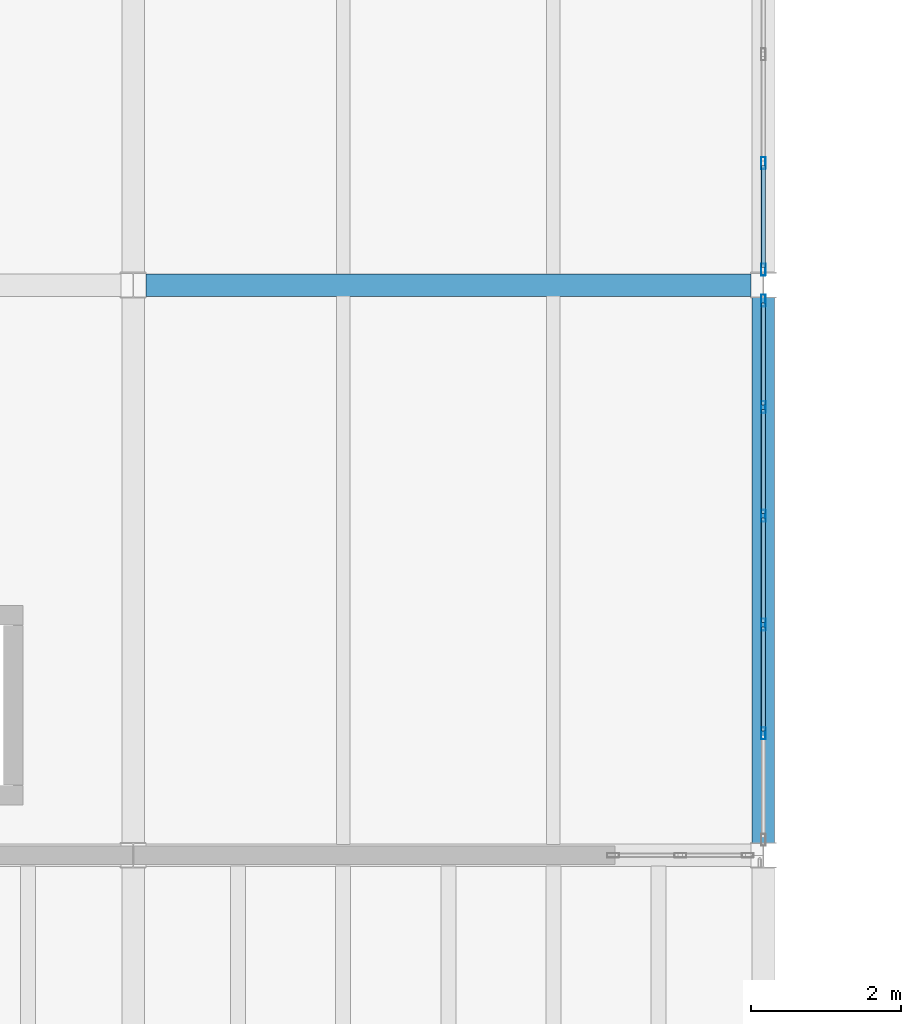
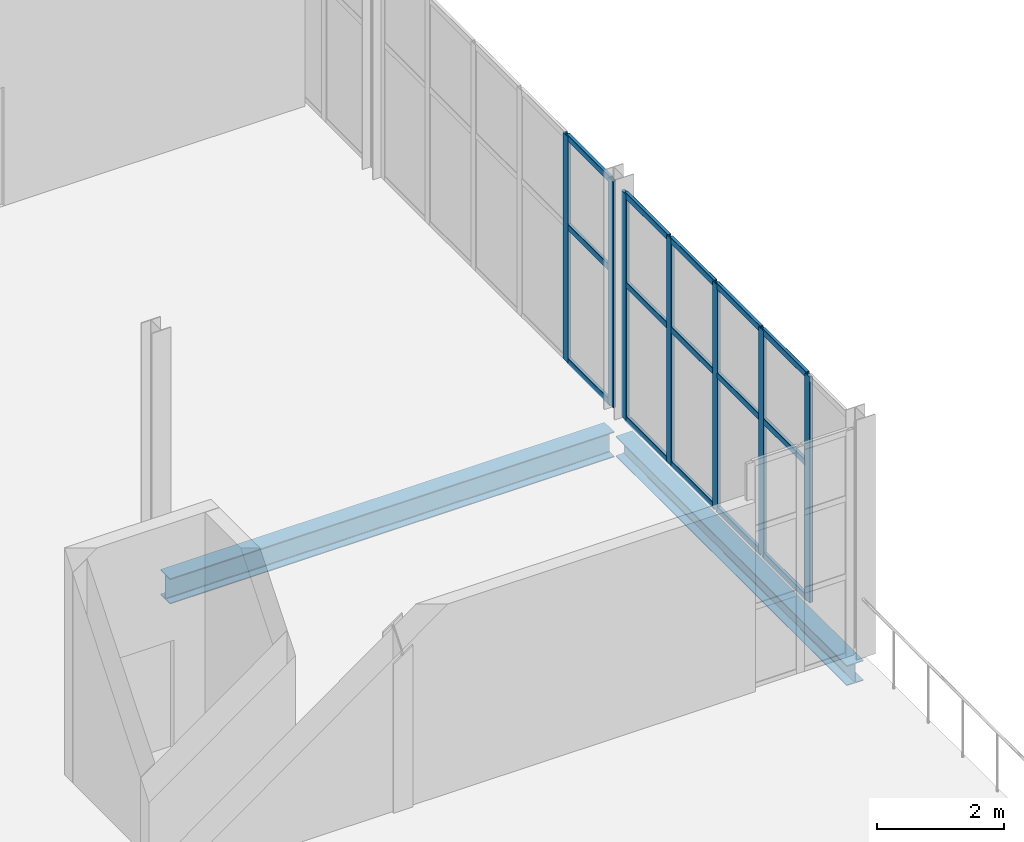
# One storey, part 14 of 74: 22 members, 2 beams, 2 elements without a shape of their own.
"""IFC4 building model written with IfcOpenShell, lengths in metres."""

from ifc_helpers import new_model, si_unit, direction, frame, origin, origin_2d, place, context, subcontext, project, spatial, hollow_rectangle, i_section, extrude, material, material_profile, profile_set, type_object, element, aggregate, save


model = new_model("IFC4")

# Units and contexts
model_context = context("Model", 3, precision=1e-05, world=origin(), true_north=direction((0.0, 1.0)))
body_context = subcontext(model_context, "Body", "Model", "MODEL_VIEW")
ifc_project = project(units=[si_unit("LENGTHUNIT", "METRE"), si_unit("AREAUNIT", "SQUARE_METRE"), si_unit("VOLUMEUNIT", "CUBIC_METRE"), si_unit("PLANEANGLEUNIT", "RADIAN"), si_unit("MASSUNIT", "GRAM", prefix="KILO")], contexts=[model_context])

# Site, building, storey
site_placement = place(None, origin())
site = spatial("IfcSite", under=ifc_project, at=site_placement, CompositionType="ELEMENT")
building_placement = place(site_placement, origin())
building = spatial("IfcBuilding", under=site, at=building_placement, Name="Shengluoqiao Park Theatre", CompositionType="ELEMENT")
storey_placement = place(building_placement, frame((0.0, 0.0, 14.60009765625)))
storey = spatial("IfcBuildingStorey", under=building, at=storey_placement, Name="L03", CompositionType="ELEMENT", Elevation=14.60009765625)

# Curtain wall, members
ifc_material_1 = material(Name="Aluminium 6063-T6", Category="aluminium")
curtain_wall_type = type_object("IfcCurtainWallType", Name="ENV-CW-COURT", PredefinedType="NOTDEFINED", material=ifc_material_1)
curtain_wall_1_placement = place(storey_placement, origin())
curtain_wall_1 = element("IfcCurtainWall", 1, at=curtain_wall_1_placement, inside=storey, type_object=curtain_wall_type, Name="L03 Curtain Wall CWX-L03-0033", PredefinedType="NOTDEFINED")
ifc_material_profile_1 = material_profile(ifc_material_1, hollow_rectangle(XDim=0.06005859375, YDim=0.159912109375, WallThickness=0.00390625, InnerFilletRadius=0.00390625, OuterFilletRadius=0.008056640625, at=origin_2d()), Name="ALU MULLION 160x60x4")
ifc_profile_set_1 = profile_set([ifc_material_profile_1], Name="Aluminium 6063-T6")
member_type_1 = type_object("IfcMemberType", Name="ENV-MUL-160", PredefinedType="MULLION", material=ifc_profile_set_1)
member_1_placement = place(storey_placement, frame((36.0, 32.025634765625, 0.0), z_axis=(0.0, 0.0, 1.0), x_axis=(-1.0, 0.0, 0.0)))
member_1 = element("IfcMember", 2, at=member_1_placement, type_object=member_type_1, Name="CW-05 mullion 2", PredefinedType="MULLION", context=body_context, shape_type="SweptSolid", body=[
    extrude(hollow_rectangle(XDim=0.06005859375, YDim=0.159912109375, WallThickness=0.00390625, InnerFilletRadius=0.00390625, OuterFilletRadius=0.008056640625, at=origin_2d()), origin(), (0.0, 0.0, 1.0), 4.33984375),
])
member_2_placement = place(storey_placement, frame((36.0, 33.47509765625, 0.0), z_axis=(0.0, 0.0, 1.0), x_axis=(-1.0, 0.0, 0.0)))
member_2 = element("IfcMember", 3, at=member_2_placement, type_object=member_type_1, Name="CW-05 mullion 3", PredefinedType="MULLION", context=body_context, shape_type="SweptSolid", body=[
    extrude(hollow_rectangle(XDim=0.06005859375, YDim=0.159912109375, WallThickness=0.00390625, InnerFilletRadius=0.00390625, OuterFilletRadius=0.008056640625, at=origin_2d()), origin(), (0.0, 0.0, 1.0), 4.33984375),
])
member_3_placement = place(storey_placement, frame((36.0, 34.9248046875, 0.0), z_axis=(0.0, 0.0, 1.0), x_axis=(-1.0, 0.0, 0.0)))
member_3 = element("IfcMember", 4, at=member_3_placement, type_object=member_type_1, Name="CW-05 mullion 4", PredefinedType="MULLION", context=body_context, shape_type="SweptSolid", body=[
    extrude(hollow_rectangle(XDim=0.06005859375, YDim=0.159912109375, WallThickness=0.00390625, InnerFilletRadius=0.00390625, OuterFilletRadius=0.008056640625, at=origin_2d()), origin(), (0.0, 0.0, 1.0), 4.33984375),
])
member_4_placement = place(storey_placement, frame((36.0, 36.37451171875, 0.0), z_axis=(0.0, 0.0, 1.0), x_axis=(-1.0, 0.0, 0.0)))
member_4 = element("IfcMember", 5, at=member_4_placement, type_object=member_type_1, Name="CW-05 mullion 5", PredefinedType="MULLION", context=body_context, shape_type="SweptSolid", body=[
    extrude(hollow_rectangle(XDim=0.06005859375, YDim=0.159912109375, WallThickness=0.00390625, InnerFilletRadius=0.00390625, OuterFilletRadius=0.008056640625, at=origin_2d()), origin(), (0.0, 0.0, 1.0), 4.33984375),
])
member_5_placement = place(storey_placement, frame((36.0, 37.7939453125, 0.0), z_axis=(0.0, 0.0, 1.0), x_axis=(-1.0, 0.0, 0.0)))
member_5 = element("IfcMember", 6, at=member_5_placement, type_object=member_type_1, Name="CW-05 mullion 6", PredefinedType="MULLION", context=body_context, shape_type="SweptSolid", body=[
    extrude(hollow_rectangle(XDim=0.06005859375, YDim=0.159912109375, WallThickness=0.00390625, InnerFilletRadius=0.00390625, OuterFilletRadius=0.008056640625, at=origin_2d()), origin(), (0.0, 0.0, 1.0), 4.33984375),
])

curtain_wall_2_placement = place(storey_placement, origin())
curtain_wall_2 = element("IfcCurtainWall", 7, at=curtain_wall_2_placement, inside=storey, type_object=curtain_wall_type, Name="L03 Curtain Wall CWX-L03-0034", PredefinedType="NOTDEFINED")
member_6_placement = place(storey_placement, frame((36.0, 38.2060546875, 0.0), z_axis=(0.0, 0.0, 1.0), x_axis=(-1.0, 0.0, 0.0)))
member_6 = element("IfcMember", 8, at=member_6_placement, type_object=member_type_1, Name="CW-05 mullion 1", PredefinedType="MULLION", context=body_context, shape_type="SweptSolid", body=[
    extrude(hollow_rectangle(XDim=0.06005859375, YDim=0.159912109375, WallThickness=0.00390625, InnerFilletRadius=0.00390625, OuterFilletRadius=0.008056640625, at=origin_2d()), origin(), (0.0, 0.0, 1.0), 4.33984375),
])
member_7_placement = place(storey_placement, frame((36.0, 39.62548828125, 0.0), z_axis=(0.0, 0.0, 1.0), x_axis=(-1.0, 0.0, 0.0)))
member_7 = element("IfcMember", 9, at=member_7_placement, type_object=member_type_1, Name="CW-05 mullion 2", PredefinedType="MULLION", context=body_context, shape_type="SweptSolid", body=[
    extrude(hollow_rectangle(XDim=0.06005859375, YDim=0.159912109375, WallThickness=0.00390625, InnerFilletRadius=0.00390625, OuterFilletRadius=0.008056640625, at=origin_2d()), origin(), (0.0, 0.0, 1.0), 4.33984375),
])

# Member
ifc_material_profile_2 = material_profile(ifc_material_1, hollow_rectangle(XDim=0.06005859375, YDim=0.1201171875, WallThickness=0.00390625, InnerFilletRadius=0.00390625, OuterFilletRadius=0.008056640625, at=origin_2d()), Name="ALU TRANSOM 120x60x4")
ifc_profile_set_2 = profile_set([ifc_material_profile_2], Name="Aluminium 6063-T6")
member_type_2 = type_object("IfcMemberType", Name="ENV-TRN-120", PredefinedType="USERDEFINED", material=ifc_profile_set_2)
member_8_placement = place(storey_placement, frame((36.0, 32.0556640625, 0.02978515625), z_axis=(0.0, 1.0, 0.0), x_axis=(-1.0, 0.0, 0.0)))
member_8 = element("IfcMember", 10, at=member_8_placement, type_object=member_type_2, Name="CW-05 transom 2.1", ObjectType="TRANSOM", PredefinedType="USERDEFINED", context=body_context, shape_type="SweptSolid", body=[
    extrude(hollow_rectangle(XDim=0.06005859375, YDim=0.1201171875, WallThickness=0.00390625, InnerFilletRadius=0.00390625, OuterFilletRadius=0.008056640625, at=origin_2d()), origin(), (0.0, 0.0, 1.0), 1.3896484375),
])

member_9_placement = place(storey_placement, frame((36.0, 32.0556640625, 2.60400390625), z_axis=(0.0, 1.0, 0.0), x_axis=(-1.0, 0.0, 0.0)))
member_9 = element("IfcMember", 11, at=member_9_placement, type_object=member_type_2, Name="CW-05 transom 2.2", ObjectType="TRANSOM", PredefinedType="USERDEFINED", context=body_context, shape_type="SweptSolid", body=[
    extrude(hollow_rectangle(XDim=0.06005859375, YDim=0.1201171875, WallThickness=0.00390625, InnerFilletRadius=0.00390625, OuterFilletRadius=0.008056640625, at=origin_2d()), origin(), (0.0, 0.0, 1.0), 1.3896484375),
])

member_10_placement = place(storey_placement, frame((36.0, 32.0556640625, 4.309814453125), z_axis=(0.0, 1.0, 0.0), x_axis=(-1.0, 0.0, 0.0)))
member_10 = element("IfcMember", 12, at=member_10_placement, type_object=member_type_2, Name="CW-05 transom 2.3", ObjectType="TRANSOM", PredefinedType="USERDEFINED", context=body_context, shape_type="SweptSolid", body=[
    extrude(hollow_rectangle(XDim=0.06005859375, YDim=0.1201171875, WallThickness=0.00390625, InnerFilletRadius=0.00390625, OuterFilletRadius=0.008056640625, at=origin_2d()), origin(), (0.0, 0.0, 1.0), 1.3896484375),
])

member_11_placement = place(storey_placement, frame((36.0, 33.505126953125, 0.02978515625), z_axis=(0.0, 1.0, 0.0), x_axis=(-1.0, 0.0, 0.0)))
member_11 = element("IfcMember", 13, at=member_11_placement, type_object=member_type_2, Name="CW-05 transom 3.1", ObjectType="TRANSOM", PredefinedType="USERDEFINED", context=body_context, shape_type="SweptSolid", body=[
    extrude(hollow_rectangle(XDim=0.06005859375, YDim=0.1201171875, WallThickness=0.00390625, InnerFilletRadius=0.00390625, OuterFilletRadius=0.008056640625, at=origin_2d()), origin(), (0.0, 0.0, 1.0), 1.3896484375),
])

member_12_placement = place(storey_placement, frame((36.0, 33.505126953125, 2.60400390625), z_axis=(0.0, 1.0, 0.0), x_axis=(-1.0, 0.0, 0.0)))
member_12 = element("IfcMember", 14, at=member_12_placement, type_object=member_type_2, Name="CW-05 transom 3.2", ObjectType="TRANSOM", PredefinedType="USERDEFINED", context=body_context, shape_type="SweptSolid", body=[
    extrude(hollow_rectangle(XDim=0.06005859375, YDim=0.1201171875, WallThickness=0.00390625, InnerFilletRadius=0.00390625, OuterFilletRadius=0.008056640625, at=origin_2d()), origin(), (0.0, 0.0, 1.0), 1.3896484375),
])

member_13_placement = place(storey_placement, frame((36.0, 33.505126953125, 4.309814453125), z_axis=(0.0, 1.0, 0.0), x_axis=(-1.0, 0.0, 0.0)))
member_13 = element("IfcMember", 15, at=member_13_placement, type_object=member_type_2, Name="CW-05 transom 3.3", ObjectType="TRANSOM", PredefinedType="USERDEFINED", context=body_context, shape_type="SweptSolid", body=[
    extrude(hollow_rectangle(XDim=0.06005859375, YDim=0.1201171875, WallThickness=0.00390625, InnerFilletRadius=0.00390625, OuterFilletRadius=0.008056640625, at=origin_2d()), origin(), (0.0, 0.0, 1.0), 1.3896484375),
])

member_14_placement = place(storey_placement, frame((36.0, 34.954833984375, 0.02978515625), z_axis=(0.0, 1.0, 0.0), x_axis=(-1.0, 0.0, 0.0)))
member_14 = element("IfcMember", 16, at=member_14_placement, type_object=member_type_2, Name="CW-05 transom 4.1", ObjectType="TRANSOM", PredefinedType="USERDEFINED", context=body_context, shape_type="SweptSolid", body=[
    extrude(hollow_rectangle(XDim=0.06005859375, YDim=0.1201171875, WallThickness=0.00390625, InnerFilletRadius=0.00390625, OuterFilletRadius=0.008056640625, at=origin_2d()), origin(), (0.0, 0.0, 1.0), 1.3896484375),
])

member_15_placement = place(storey_placement, frame((36.0, 34.954833984375, 2.60400390625), z_axis=(0.0, 1.0, 0.0), x_axis=(-1.0, 0.0, 0.0)))
member_15 = element("IfcMember", 17, at=member_15_placement, type_object=member_type_2, Name="CW-05 transom 4.2", ObjectType="TRANSOM", PredefinedType="USERDEFINED", context=body_context, shape_type="SweptSolid", body=[
    extrude(hollow_rectangle(XDim=0.06005859375, YDim=0.1201171875, WallThickness=0.00390625, InnerFilletRadius=0.00390625, OuterFilletRadius=0.008056640625, at=origin_2d()), origin(), (0.0, 0.0, 1.0), 1.3896484375),
])

member_16_placement = place(storey_placement, frame((36.0, 34.954833984375, 4.309814453125), z_axis=(0.0, 1.0, 0.0), x_axis=(-1.0, 0.0, 0.0)))
member_16 = element("IfcMember", 18, at=member_16_placement, type_object=member_type_2, Name="CW-05 transom 4.3", ObjectType="TRANSOM", PredefinedType="USERDEFINED", context=body_context, shape_type="SweptSolid", body=[
    extrude(hollow_rectangle(XDim=0.06005859375, YDim=0.1201171875, WallThickness=0.00390625, InnerFilletRadius=0.00390625, OuterFilletRadius=0.008056640625, at=origin_2d()), origin(), (0.0, 0.0, 1.0), 1.3896484375),
])

member_17_placement = place(storey_placement, frame((36.0, 36.404296875, 0.02978515625), z_axis=(0.0, 1.0, 0.0), x_axis=(-1.0, 0.0, 0.0)))
member_17 = element("IfcMember", 19, at=member_17_placement, type_object=member_type_2, Name="CW-05 transom 5.1", ObjectType="TRANSOM", PredefinedType="USERDEFINED", context=body_context, shape_type="SweptSolid", body=[
    extrude(hollow_rectangle(XDim=0.06005859375, YDim=0.1201171875, WallThickness=0.00390625, InnerFilletRadius=0.00390625, OuterFilletRadius=0.008056640625, at=origin_2d()), origin(), (0.0, 0.0, 1.0), 1.359619140625),
])

member_18_placement = place(storey_placement, frame((36.0, 36.404296875, 2.60400390625), z_axis=(0.0, 1.0, 0.0), x_axis=(-1.0, 0.0, 0.0)))
member_18 = element("IfcMember", 20, at=member_18_placement, type_object=member_type_2, Name="CW-05 transom 5.2", ObjectType="TRANSOM", PredefinedType="USERDEFINED", context=body_context, shape_type="SweptSolid", body=[
    extrude(hollow_rectangle(XDim=0.06005859375, YDim=0.1201171875, WallThickness=0.00390625, InnerFilletRadius=0.00390625, OuterFilletRadius=0.008056640625, at=origin_2d()), origin(), (0.0, 0.0, 1.0), 1.359619140625),
])

member_19_placement = place(storey_placement, frame((36.0, 36.404296875, 4.309814453125), z_axis=(0.0, 1.0, 0.0), x_axis=(-1.0, 0.0, 0.0)))
member_19 = element("IfcMember", 21, at=member_19_placement, type_object=member_type_2, Name="CW-05 transom 5.3", ObjectType="TRANSOM", PredefinedType="USERDEFINED", context=body_context, shape_type="SweptSolid", body=[
    extrude(hollow_rectangle(XDim=0.06005859375, YDim=0.1201171875, WallThickness=0.00390625, InnerFilletRadius=0.00390625, OuterFilletRadius=0.008056640625, at=origin_2d()), origin(), (0.0, 0.0, 1.0), 1.359619140625),
])

aggregate(curtain_wall_1, [member_1, member_2, member_3, member_4, member_5, member_8, member_9, member_10, member_11, member_12, member_13, member_14, member_15, member_16, member_17, member_18, member_19])

member_20_placement = place(storey_placement, frame((36.0, 38.236083984375, 0.02978515625), z_axis=(0.0, 1.0, 0.0), x_axis=(-1.0, 0.0, 0.0)))
member_20 = element("IfcMember", 22, at=member_20_placement, type_object=member_type_2, Name="CW-05 transom 1.1", ObjectType="TRANSOM", PredefinedType="USERDEFINED", context=body_context, shape_type="SweptSolid", body=[
    extrude(hollow_rectangle(XDim=0.06005859375, YDim=0.1201171875, WallThickness=0.00390625, InnerFilletRadius=0.00390625, OuterFilletRadius=0.008056640625, at=origin_2d()), origin(), (0.0, 0.0, 1.0), 1.359619140625),
])

member_21_placement = place(storey_placement, frame((36.0, 38.236083984375, 2.60400390625), z_axis=(0.0, 1.0, 0.0), x_axis=(-1.0, 0.0, 0.0)))
member_21 = element("IfcMember", 23, at=member_21_placement, type_object=member_type_2, Name="CW-05 transom 1.2", ObjectType="TRANSOM", PredefinedType="USERDEFINED", context=body_context, shape_type="SweptSolid", body=[
    extrude(hollow_rectangle(XDim=0.06005859375, YDim=0.1201171875, WallThickness=0.00390625, InnerFilletRadius=0.00390625, OuterFilletRadius=0.008056640625, at=origin_2d()), origin(), (0.0, 0.0, 1.0), 1.359619140625),
])

member_22_placement = place(storey_placement, frame((36.0, 38.236083984375, 4.309814453125), z_axis=(0.0, 1.0, 0.0), x_axis=(-1.0, 0.0, 0.0)))
member_22 = element("IfcMember", 24, at=member_22_placement, type_object=member_type_2, Name="CW-05 transom 1.3", ObjectType="TRANSOM", PredefinedType="USERDEFINED", context=body_context, shape_type="SweptSolid", body=[
    extrude(hollow_rectangle(XDim=0.06005859375, YDim=0.1201171875, WallThickness=0.00390625, InnerFilletRadius=0.00390625, OuterFilletRadius=0.008056640625, at=origin_2d()), origin(), (0.0, 0.0, 1.0), 1.359619140625),
])

aggregate(curtain_wall_2, [member_6, member_7, member_20, member_21, member_22])

# Beams
ifc_material_2 = material(Name="Steel Q355", Category="steel")
ifc_material_profile_3 = material_profile(ifc_material_2, i_section(OverallWidth=0.300048828125, OverallDepth=0.389892578125, WebThickness=0.010009765625, FlangeThickness=0.01611328125, FilletRadius=0.01806640625, at=origin_2d()), Name="HM 390x300x10x16")
ifc_profile_set_3 = profile_set([ifc_material_profile_3], Name="Steel Q355")
beam_type_1 = type_object("IfcBeamType", Name="STR-BM-G-HM390", PredefinedType="BEAM", material=ifc_profile_set_3)
beam_1_placement = place(storey_placement, frame((36.0, 30.56591796875, -0.51513671875), z_axis=(0.0, 1.0, 0.0), x_axis=(-1.0, 0.0, 0.0)))
element("IfcBeam", 25, at=beam_1_placement, inside=storey, type_object=beam_type_1, Name="L03 Transverse Girder 01300", PredefinedType="BEAM", context=body_context, shape_type="SweptSolid", body=[
    extrude(i_section(OverallWidth=0.300048828125, OverallDepth=0.389892578125, WebThickness=0.010009765625, FlangeThickness=0.01611328125, FilletRadius=0.01806640625, at=origin_2d()), origin(), (0.0, 0.0, 1.0), 7.26806640625),
])
ifc_material_profile_4 = material_profile(ifc_material_2, i_section(OverallWidth=0.300048828125, OverallDepth=0.488037109375, WebThickness=0.010986328125, FlangeThickness=0.01806640625, FilletRadius=0.02197265625, at=origin_2d()), Name="HM 488x300x11x18")
ifc_profile_set_4 = profile_set([ifc_material_profile_4], Name="Steel Q355")
beam_type_2 = type_object("IfcBeamType", Name="STR-BM-G-HM488", PredefinedType="BEAM", material=ifc_profile_set_4)
beam_2_placement = place(storey_placement, frame((27.76806640625, 38.0, -0.484130859375), z_axis=(1.0, 0.0, 0.0), x_axis=(0.0, 1.0, 0.0)))
element("IfcBeam", 26, at=beam_2_placement, inside=storey, type_object=beam_type_2, Name="L03 Primary Girder 01294", PredefinedType="BEAM", context=body_context, shape_type="SweptSolid", body=[
    extrude(i_section(OverallWidth=0.300048828125, OverallDepth=0.488037109375, WebThickness=0.010986328125, FlangeThickness=0.01806640625, FilletRadius=0.02197265625, at=origin_2d()), origin(), (0.0, 0.0, 1.0), 8.06396484375),
])

save(model, "model.ifc")
